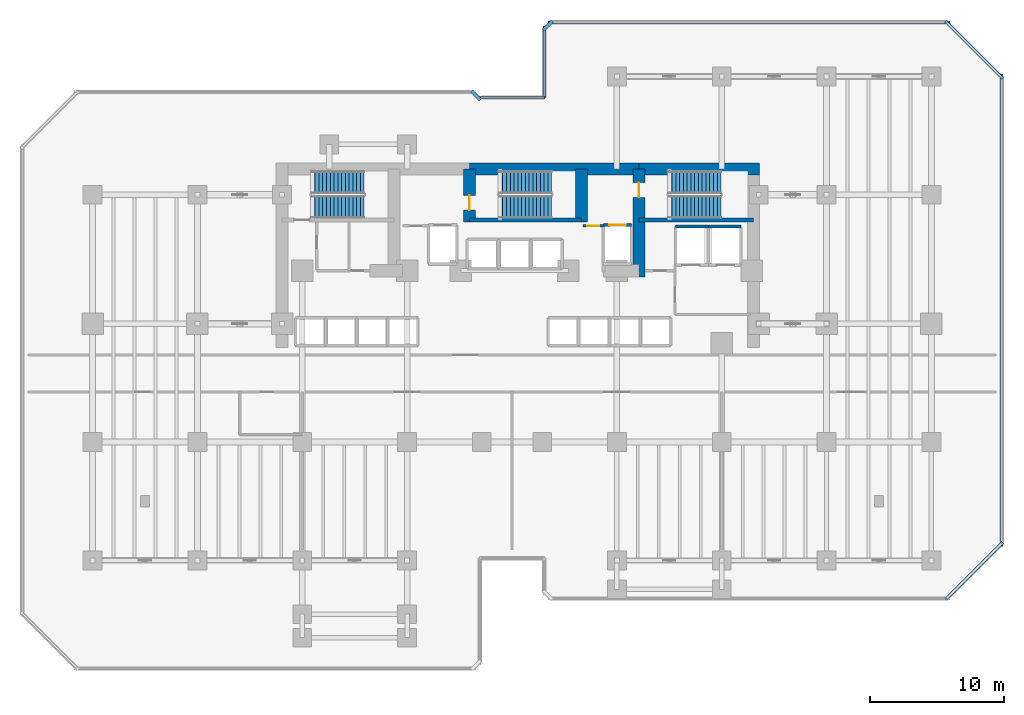
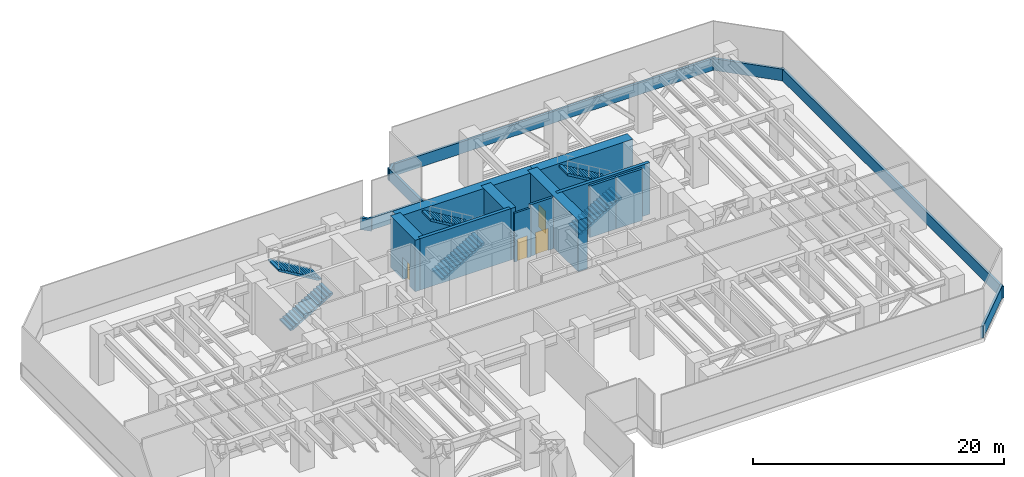
# One storey, part 8 of 13: 19 walls, 6 stair flights, 4 doors, 4 openings, 3 elements without a shape of their own.
"""IFC4 building model written with IfcOpenShell, lengths in metres."""

from ifc_helpers import new_model, si_unit, direction, frame, frame_2d, origin, place, context, subcontext, project, spatial, polyline, rectangle, outline, extrude, material, layer, layer_set, type_object, element, fill, aggregate, save


model = new_model("IFC4")

# Units and contexts
model_context = context("Model", 3, precision=1e-05, world=origin(), true_north=direction((0.0, 1.0)))
body_context = subcontext(model_context, "Body", "Model", "MODEL_VIEW")
ifc_project = project(units=[si_unit("LENGTHUNIT", "METRE"), si_unit("AREAUNIT", "SQUARE_METRE"), si_unit("VOLUMEUNIT", "CUBIC_METRE"), si_unit("PLANEANGLEUNIT", "RADIAN"), si_unit("MASSUNIT", "GRAM", prefix="KILO")], contexts=[model_context])

# Site, building, storey
site_placement = place(None, origin())
site = spatial("IfcSite", under=ifc_project, at=site_placement, CompositionType="ELEMENT")
building_placement = place(site_placement, origin())
building = spatial("IfcBuilding", under=site, at=building_placement, Name="Kestravale Grand Hotel", CompositionType="ELEMENT")
storey_placement = place(building_placement, frame((0.0, 0.0, 75.39990234375)))
storey = spatial("IfcBuildingStorey", under=building, at=storey_placement, Name="L18", CompositionType="ELEMENT", Elevation=75.39990234375)

# Walls
ifc_material_1 = material(Name="Concrete f'c 70 MPa", Category="concrete")
ifc_layer_1 = layer(ifc_material_1, 0.89990234375)
ifc_layer_set_1 = layer_set([ifc_layer_1], Name="EW-CORE-900")
wall_type_1 = type_object("IfcWallType", Name="EW-CORE-900", PredefinedType="SHEAR", material=ifc_layer_set_1)
wall_1_placement = place(storey_placement, frame((35.85009765625, 40.320068359375, 0.0), z_axis=(0.0, 0.0, 1.0), x_axis=(1.0, 0.0, 0.0)))
element("IfcWall", 1, at=wall_1_placement, inside=storey, type_object=wall_type_1, Name="L18 core shear wall N2", PredefinedType="SHEAR", context=body_context, shape_type="SweptSolid", body=[
    extrude(rectangle(XDim=12.599853515625, YDim=0.89990234375, at=frame_2d((6.2998046875, 0.0))), origin(), (0.0, 0.0, 1.0), 5.0),
])
wall_2_placement = place(storey_placement, frame((48.449951171875, 40.320068359375, 0.0), z_axis=(0.0, 0.0, 1.0), x_axis=(1.0, 0.0, 0.0)))
element("IfcWall", 2, at=wall_2_placement, inside=storey, type_object=wall_type_1, Name="L18 core shear wall N3", PredefinedType="SHEAR", context=body_context, shape_type="SweptSolid", body=[
    extrude(rectangle(XDim=8.969970703125, YDim=0.89990234375, at=frame_2d((4.48486328125, 0.0))), origin(), (0.0, 0.0, 1.0), 5.0),
])

# Wall, opening, door
wall_3_placement = place(storey_placement, frame((35.85009765625, 36.3701171875, 0.0), z_axis=(0.0, 0.0, 1.0), x_axis=(0.0, 1.0, 0.0)))
wall_3 = element("IfcWall", 3, at=wall_3_placement, inside=storey, type_object=wall_type_1, Name="L18 core shear wall X2", PredefinedType="SHEAR", context=body_context, shape_type="SweptSolid", body=[
    extrude(rectangle(XDim=3.949951171875, YDim=0.89990234375, at=frame_2d((1.97509765625, 0.0))), origin(), (0.0, 0.0, 1.0), 5.0),
])
opening_1_placement = place(wall_3_placement, frame((0.8798828125, 0.0, 0.0)))
opening_1 = element("IfcOpeningElement", 4, at=opening_1_placement, cuts=wall_3, Name="Opening D-ST-1100", PredefinedType="OPENING", context=body_context, shape_type="SweptSolid", body=[
    extrude(rectangle(XDim=1.10009765625, YDim=2.14990234375, at=frame_2d((0.550048828125, 1.074951171875))), frame((0.0, 0.4599609375, 0.0), z_axis=(0.0, -1.0, 0.0), x_axis=(1.0, 0.0, 0.0)), (0.0, 0.0, 1.0), 0.919921875),
])
ifc_material_2 = material(Name="Galvanised 90-minute fire-rated steel stair door", Category="steel")
door_type_1 = type_object("IfcDoorType", Name="D-ST-1100", OperationType="NOTDEFINED", PredefinedType="DOOR", material=ifc_material_2)
door_1_placement = place(opening_1_placement, origin())
door_1 = element("IfcDoor", 5, at=door_1_placement, inside=storey, type_object=door_type_1, Name="L18 Stair ST-2 FSAE fire door", OperationType="SINGLE_SWING_RIGHT", OverallHeight=2.14990234375, OverallWidth=1.10009765625, PredefinedType="DOOR", context=body_context, shape_type="SweptSolid", body=[
    extrude(rectangle(XDim=1.10009765625, YDim=2.14990234375, at=frame_2d((0.550048828125, 1.074951171875))), frame((0.0, 0.02490234375, 0.0), z_axis=(0.0, -1.0, 0.0), x_axis=(1.0, 0.0, 0.0)), (0.0, 0.0, 1.0), 0.050048828125),
])
fill(opening_1, door_1)

# Wall
wall_4_placement = place(storey_placement, frame((44.179931640625, 36.3701171875, 0.0), z_axis=(0.0, 0.0, 1.0), x_axis=(0.0, 1.0, 0.0)))
element("IfcWall", 6, at=wall_4_placement, inside=storey, type_object=wall_type_1, Name="L18 core shear wall X3", PredefinedType="SHEAR", context=body_context, shape_type="SweptSolid", body=[
    extrude(rectangle(XDim=3.949951171875, YDim=0.89990234375, at=frame_2d((1.97509765625, 0.0))), origin(), (0.0, 0.0, 1.0), 5.0),
])

# Wall, opening, door
wall_5_placement = place(storey_placement, frame((48.449951171875, 32.300048828125, 0.0), z_axis=(0.0, 0.0, 1.0), x_axis=(0.0, 1.0, 0.0)))
wall_5 = element("IfcWall", 7, at=wall_5_placement, inside=storey, type_object=wall_type_1, Name="L18 core shear wall X4", PredefinedType="SHEAR", context=body_context, shape_type="SweptSolid", body=[
    extrude(rectangle(XDim=8.02001953125, YDim=0.89990234375, at=frame_2d((4.010009765625, 0.0))), origin(), (0.0, 0.0, 1.0), 5.0),
])
opening_2_placement = place(wall_5_placement, frame((5.89990234375, 0.0, 0.0)))
opening_2 = element("IfcOpeningElement", 8, at=opening_2_placement, cuts=wall_5, Name="Opening D-ST-1100", PredefinedType="OPENING", context=body_context, shape_type="SweptSolid", body=[
    extrude(rectangle(XDim=1.10009765625, YDim=2.14990234375, at=frame_2d((0.550048828125, 1.074951171875))), frame((0.0, 0.4599609375, 0.0), z_axis=(0.0, -1.0, 0.0), x_axis=(1.0, 0.0, 0.0)), (0.0, 0.0, 1.0), 0.919921875),
])
door_2_placement = place(opening_2_placement, origin())
door_2 = element("IfcDoor", 9, at=door_2_placement, inside=storey, type_object=door_type_1, Name="L18 Stair ST-3 FSAE fire door", OperationType="SINGLE_SWING_RIGHT", OverallHeight=2.14990234375, OverallWidth=1.10009765625, PredefinedType="DOOR", context=body_context, shape_type="SweptSolid", body=[
    extrude(rectangle(XDim=1.10009765625, YDim=2.14990234375, at=frame_2d((0.550048828125, 1.074951171875))), frame((0.0, 0.02490234375, 0.0), z_axis=(0.0, -1.0, 0.0), x_axis=(1.0, 0.0, 0.0)), (0.0, 0.0, 1.0), 0.050048828125),
])
fill(opening_2, door_2)

# Walls
ifc_material_3 = material(Name="Precast concrete f'c 45 MPa", Category="concrete")
ifc_layer_2 = layer(ifc_material_3, 0.219970703125)
ifc_layer_set_2 = layer_set([ifc_layer_2], Name="EW-PAR-220")
wall_type_2 = type_object("IfcWallType", Name="EW-PAR-220", PredefinedType="PARAPET", material=ifc_layer_set_2)
wall_6_placement = place(storey_placement, frame((71.25146484375, 8.2919921875, 0.0), z_axis=(0.0, 0.0, 1.0), x_axis=(0.707106781187, 0.707106781187, 0.0)))
element("IfcWall", 10, at=wall_6_placement, inside=storey, type_object=wall_type_2, Name="L18 refuge band parapet wall 8", PredefinedType="PARAPET", context=body_context, shape_type="SweptSolid", body=[
    extrude(rectangle(XDim=6.019775390625, YDim=0.219970703125, at=frame_2d((3.009765625, 0.0))), origin(), (0.0, 0.0, 1.0), 1.150146484375),
])
wall_7_placement = place(storey_placement, frame((75.429931640625, 12.22998046875, 0.0), z_axis=(0.0, 0.0, 1.0), x_axis=(0.0, 1.0, 0.0)))
element("IfcWall", 11, at=wall_7_placement, inside=storey, type_object=wall_type_2, Name="L18 refuge band parapet wall 9", PredefinedType="PARAPET", context=body_context, shape_type="SweptSolid", body=[
    extrude(rectangle(XDim=35.14013671875, YDim=0.219970703125, at=frame_2d((17.570068359375, 0.0))), origin(), (0.0, 0.0, 1.0), 1.150146484375),
])
wall_8_placement = place(storey_placement, frame((75.508056640625, 47.051513671875, 0.0), z_axis=(0.0, 0.0, 1.0), x_axis=(-0.707106781187, 0.707106781187, 0.0)))
element("IfcWall", 12, at=wall_8_placement, inside=storey, type_object=wall_type_2, Name="L18 refuge band parapet wall 10", PredefinedType="PARAPET", context=body_context, shape_type="SweptSolid", body=[
    extrude(rectangle(XDim=6.019775390625, YDim=0.219970703125, at=frame_2d((3.009765625, 0.0))), origin(), (0.0, 0.0, 1.0), 1.150146484375),
])
wall_9_placement = place(storey_placement, frame((71.570068359375, 51.22998046875, 0.0), z_axis=(0.0, 0.0, 1.0), x_axis=(-1.0, 0.0, 0.0)))
element("IfcWall", 13, at=wall_9_placement, inside=storey, type_object=wall_type_2, Name="L18 refuge band parapet wall 11", PredefinedType="PARAPET", context=body_context, shape_type="SweptSolid", body=[
    extrude(rectangle(XDim=29.89013671875, YDim=0.219970703125, at=frame_2d((14.945068359375, 0.0))), origin(), (0.0, 0.0, 1.0), 1.150146484375),
])
wall_10_placement = place(storey_placement, frame((41.99853515625, 51.30810546875, 0.0), z_axis=(0.0, 0.0, 1.0), x_axis=(-0.707238225886, -0.706975312048, 0.0)))
element("IfcWall", 14, at=wall_10_placement, inside=storey, type_object=wall_type_2, Name="L18 refuge band parapet wall 12", PredefinedType="PARAPET", context=body_context, shape_type="SweptSolid", body=[
    extrude(rectangle(XDim=0.9287109375, YDim=0.219970703125, at=frame_2d((0.46435546875, 0.0))), origin(), (0.0, 0.0, 1.0), 1.150146484375),
])
wall_11_placement = place(storey_placement, frame((41.419921875, 50.969970703125, 0.0), z_axis=(0.0, 0.0, 1.0), x_axis=(0.0, -1.0, 0.0)))
element("IfcWall", 15, at=wall_11_placement, inside=storey, type_object=wall_type_2, Name="L18 refuge band parapet wall 13", PredefinedType="PARAPET", context=body_context, shape_type="SweptSolid", body=[
    extrude(rectangle(XDim=5.340087890625, YDim=0.219970703125, at=frame_2d((2.669921875, 0.0))), origin(), (0.0, 0.0, 1.0), 1.150146484375),
])
wall_12_placement = place(storey_placement, frame((41.419921875, 45.6298828125, 0.0), z_axis=(0.0, 0.0, 1.0), x_axis=(-1.0, 0.0, 0.0)))
element("IfcWall", 16, at=wall_12_placement, inside=storey, type_object=wall_type_2, Name="L18 refuge band parapet wall 14", PredefinedType="PARAPET", context=body_context, shape_type="SweptSolid", body=[
    extrude(rectangle(XDim=4.83984375, YDim=0.219970703125, at=frame_2d((2.419921875, 0.0))), origin(), (0.0, 0.0, 1.0), 1.150146484375),
])
wall_13_placement = place(storey_placement, frame((36.658203125, 45.451416015625, 0.0), z_axis=(0.0, 0.0, 1.0), x_axis=(-0.707106781187, 0.707106781187, 0.0)))
element("IfcWall", 17, at=wall_13_placement, inside=storey, type_object=wall_type_2, Name="L18 refuge band parapet wall 16", PredefinedType="PARAPET", context=body_context, shape_type="SweptSolid", body=[
    extrude(rectangle(XDim=0.9287109375, YDim=0.219970703125, at=frame_2d((0.46435546875, 0.0))), origin(), (0.0, 0.0, 1.0), 1.150146484375),
])
ifc_material_4 = material(Name="Concrete f'c 45 MPa", Category="concrete")
ifc_layer_3 = layer(ifc_material_4, 0.300048828125)
ifc_layer_set_3 = layer_set([ifc_layer_3], Name="EW-STAIR-300")
wall_type_3 = type_object("IfcWallType", Name="EW-STAIR-300", PredefinedType="SHEAR", material=ifc_layer_set_3)
wall_14_placement = place(storey_placement, frame((35.85009765625, 36.52001953125, 0.0), z_axis=(0.0, 0.0, 1.0), x_axis=(1.0, 0.0, 0.0)))
element("IfcWall", 18, at=wall_14_placement, inside=storey, type_object=wall_type_3, Name="L18 stair enclosure shear wall SST2", PredefinedType="SHEAR", context=body_context, shape_type="SweptSolid", body=[
    extrude(rectangle(XDim=8.329833984375, YDim=0.300048828125, at=frame_2d((4.1650390625, 0.0))), origin(), (0.0, 0.0, 1.0), 5.0),
])
wall_15_placement = place(storey_placement, frame((48.449951171875, 36.52001953125, 0.0), z_axis=(0.0, 0.0, 1.0), x_axis=(1.0, 0.0, 0.0)))
element("IfcWall", 19, at=wall_15_placement, inside=storey, type_object=wall_type_3, Name="L18 stair enclosure shear wall SST3", PredefinedType="SHEAR", context=body_context, shape_type="SweptSolid", body=[
    extrude(rectangle(XDim=8.52001953125, YDim=0.300048828125, at=frame_2d((4.260009765625, 0.0))), origin(), (0.0, 0.0, 1.0), 5.0),
])

# Wall, opening, door
ifc_material_5 = material(Name="Fire-rated gypsum board on steel studs with mineral wool", Category="steel")
ifc_layer_4 = layer(ifc_material_5, 0.179931640625)
ifc_layer_set_4 = layer_set([ifc_layer_4], Name="IW-FSAE-180")
wall_type_4 = type_object("IfcWallType", Name="IW-FSAE-180", PredefinedType="PARTITIONING", material=ifc_layer_set_4)
wall_16_placement = place(storey_placement, frame((44.300048828125, 36.080078125, 0.0), z_axis=(0.0, 0.0, 1.0), x_axis=(1.0, 0.0, 0.0)))
wall_16 = element("IfcWall", 20, at=wall_16_placement, inside=storey, type_object=wall_type_4, Name="L18 FSAE Lobby 2 smoke barrier", PredefinedType="PARTITIONING", context=body_context, shape_type="SweptSolid", body=[
    extrude(rectangle(XDim=1.5, YDim=0.179931640625, at=frame_2d((0.75, 0.0))), origin(), (0.0, 0.0, 1.0), 4.739990234375),
])
opening_3_placement = place(wall_16_placement, frame((0.300048828125, 0.0, 0.0)))
opening_3 = element("IfcOpeningElement", 21, at=opening_3_placement, cuts=wall_16, Name="Opening D-FSAE-1000", PredefinedType="OPENING", context=body_context, shape_type="SweptSolid", body=[
    extrude(rectangle(XDim=0.89990234375, YDim=2.14990234375, at=frame_2d((0.449951171875, 1.074951171875))), frame((0.0, 0.099853515625, 0.0), z_axis=(0.0, -1.0, 0.0), x_axis=(1.0, 0.0, 0.0)), (0.0, 0.0, 1.0), 0.199951171875),
])
ifc_material_6 = material(Name="Smoke-gasketed FSAE lobby fire door", Category="steel")
door_type_2 = type_object("IfcDoorType", Name="D-FSAE-1000", OperationType="NOTDEFINED", PredefinedType="DOOR", material=ifc_material_6)
door_3_placement = place(opening_3_placement, origin())
door_3 = element("IfcDoor", 22, at=door_3_placement, inside=storey, type_object=door_type_2, Name="L18 FSAE Lobby 2 fire door", OperationType="SINGLE_SWING_LEFT", OverallHeight=2.14990234375, OverallWidth=0.89990234375, PredefinedType="DOOR", context=body_context, shape_type="SweptSolid", body=[
    extrude(rectangle(XDim=0.89990234375, YDim=2.14990234375, at=frame_2d((0.449951171875, 1.074951171875))), frame((0.0, 0.02490234375, 0.0), z_axis=(0.0, -1.0, 0.0), x_axis=(1.0, 0.0, 0.0)), (0.0, 0.0, 1.0), 0.050048828125),
])
fill(opening_3, door_3)

# Walls
ifc_material_7 = material(Name="Concrete f'c 45 MPa", Category="concrete")
ifc_layer_5 = layer(ifc_material_7, 0.219970703125)
ifc_layer_set_5 = layer_set([ifc_layer_5], Name="IW-SHAFT-220")
wall_type_5 = type_object("IfcWallType", Name="IW-SHAFT-220", PredefinedType="SHEAR", material=ifc_layer_set_5)
wall_17_placement = place(storey_placement, frame((51.179931640625, 36.030029296875, 0.0), z_axis=(0.0, 0.0, 1.0), x_axis=(1.0, 0.0, 0.0)))
element("IfcWall", 23, at=wall_17_placement, inside=storey, type_object=wall_type_5, Name="L18 SL-1 north shaft wall", PredefinedType="SHEAR", context=body_context, shape_type="SweptSolid", body=[
    extrude(rectangle(XDim=2.420166015625, YDim=0.219970703125, at=frame_2d((1.2099609375, 0.0))), origin(), (0.0, 0.0, 1.0), 5.0),
])
wall_18_placement = place(storey_placement, frame((53.60009765625, 36.030029296875, 0.0), z_axis=(0.0, 0.0, 1.0), x_axis=(1.0, 0.0, 0.0)))
element("IfcWall", 24, at=wall_18_placement, inside=storey, type_object=wall_type_5, Name="L18 SL-2 north shaft wall", PredefinedType="SHEAR", context=body_context, shape_type="SweptSolid", body=[
    extrude(rectangle(XDim=2.419921875, YDim=0.219970703125, at=frame_2d((1.2099609375, 0.0))), origin(), (0.0, 0.0, 1.0), 5.0),
])

# Wall, opening, door
wall_19_placement = place(storey_placement, frame((45.804931640625, 36.155029296875, 0.0), z_axis=(0.0, 0.0, 1.0), x_axis=(1.0, 0.0, 0.0)))
wall_19 = element("IfcWall", 25, at=wall_19_placement, inside=storey, type_object=wall_type_5, Name="L18 FL-2 north shaft wall", PredefinedType="SHEAR", context=body_context, shape_type="SweptSolid", body=[
    extrude(rectangle(XDim=2.090087890625, YDim=0.219970703125, at=frame_2d((1.044921875, 0.0))), origin(), (0.0, 0.0, 1.0), 5.0),
])
opening_4_placement = place(wall_19_placement, frame((0.445068359375, 0.0, 0.0)))
opening_4 = element("IfcOpeningElement", 26, at=opening_4_placement, cuts=wall_19, Name="Opening LD-FSAE-1200", PredefinedType="OPENING", context=body_context, shape_type="SweptSolid", body=[
    extrude(rectangle(XDim=1.199951171875, YDim=2.14990234375, at=frame_2d((0.60009765625, 1.074951171875))), frame((0.0, 0.119873046875, 0.0), z_axis=(0.0, -1.0, 0.0), x_axis=(1.0, 0.0, 0.0)), (0.0, 0.0, 1.0), 0.239990234375),
])
ifc_material_8 = material(Name="Stainless fire-service sliding elevator landing door", Category="steel")
door_type_3 = type_object("IfcDoorType", Name="LD-FSAE-1200", OperationType="NOTDEFINED", PredefinedType="DOOR", material=ifc_material_8)
door_4_placement = place(opening_4_placement, origin())
door_4 = element("IfcDoor", 27, at=door_4_placement, inside=storey, type_object=door_type_3, Name="L18 FL-2 elevator landing sliding door", OperationType="DOUBLE_DOOR_SLIDING", OverallHeight=2.14990234375, OverallWidth=1.199951171875, PredefinedType="DOOR", context=body_context, shape_type="SweptSolid", body=[
    extrude(rectangle(XDim=1.199951171875, YDim=2.14990234375, at=frame_2d((0.60009765625, 1.074951171875))), frame((0.0, 0.02490234375, 0.0), z_axis=(0.0, -1.0, 0.0), x_axis=(1.0, 0.0, 0.0)), (0.0, 0.0, 1.0), 0.050048828125),
])
fill(opening_4, door_4)

# Stair, stair flights
ifc_material_9 = material(Name="Concrete f'c 45 MPa", Category="concrete")
stair_type = type_object("IfcStairType", Name="ST-CORE-500", PredefinedType="HALF_TURN_STAIR", material=ifc_material_9)
stair_1_placement = place(storey_placement, origin())
stair_1 = element("IfcStair", 28, at=stair_1_placement, inside=storey, type_object=stair_type, Name="L18 ST-1", PredefinedType="HALF_TURN_STAIR")
ifc_material_10 = material(Name="Concrete f'c 45 MPa", Category="concrete")
stair_flight_type = type_object("IfcStairFlightType", Name="STF-CORE-500", PredefinedType="STRAIGHT", material=ifc_material_10)
stair_flight_1_placement = place(storey_placement, frame((24.080078125, 37.489990234375, 0.0), z_axis=(0.0, 0.0, 1.0), x_axis=(1.0, 0.0, 0.0)))
stair_flight_1 = element("IfcStairFlight", 29, at=stair_flight_1_placement, type_object=stair_flight_type, Name="ST-1 flight 1", NumberOfRisers=15, NumberOfTreads=14, PredefinedType="STRAIGHT", RiserHeight=0.166666667, TreadLength=0.28, context=body_context, shape_type="SweptSolid", body=[
    extrude(outline(polyline([(0.0, 0.0), (0.0, 0.166748046875), (0.280029296875, 0.166748046875), (0.280029296875, 0.333251953125), (0.56005859375, 0.333251953125), (0.56005859375, 0.5), (0.840087890625, 0.5), (0.840087890625, 0.666748046875), (1.1201171875, 0.666748046875), (1.1201171875, 0.833251953125), (1.39990234375, 0.833251953125), (1.39990234375, 1.0), (1.679931640625, 1.0), (1.679931640625, 1.166748046875), (1.9599609375, 1.166748046875), (1.9599609375, 1.333251953125), (2.239990234375, 1.333251953125), (2.239990234375, 1.5), (2.52001953125, 1.5), (2.52001953125, 1.666748046875), (2.800048828125, 1.666748046875), (2.800048828125, 1.833251953125), (3.080078125, 1.833251953125), (3.080078125, 2.0), (3.360107421875, 2.0), (3.360107421875, 2.166748046875), (3.639892578125, 2.166748046875), (3.639892578125, 2.333251953125), (3.919921875, 2.333251953125), (3.919921875, 2.5), (3.919921875, 2.158935546875), (0.29296875, 0.0), (0.0, 0.0)])), frame((0.0, 0.83984375, 0.0), z_axis=(0.0, -1.0, 0.0), x_axis=(1.0, 0.0, 0.0)), (0.0, 0.0, 1.0), 1.679931640625),
])
stair_flight_2_placement = place(storey_placement, frame((28.0, 39.320068359375, 2.5), z_axis=(0.0, 0.0, 1.0), x_axis=(-1.0, 0.0, 0.0)))
stair_flight_2 = element("IfcStairFlight", 30, at=stair_flight_2_placement, type_object=stair_flight_type, Name="ST-1 flight 2", NumberOfRisers=15, NumberOfTreads=14, PredefinedType="STRAIGHT", RiserHeight=0.166666667, TreadLength=0.28, context=body_context, shape_type="SweptSolid", body=[
    extrude(outline(polyline([(0.0, 0.0), (0.0, 0.166748046875), (0.280029296875, 0.166748046875), (0.280029296875, 0.333251953125), (0.56005859375, 0.333251953125), (0.56005859375, 0.5), (0.840087890625, 0.5), (0.840087890625, 0.666748046875), (1.1201171875, 0.666748046875), (1.1201171875, 0.833251953125), (1.39990234375, 0.833251953125), (1.39990234375, 1.0), (1.679931640625, 1.0), (1.679931640625, 1.166748046875), (1.9599609375, 1.166748046875), (1.9599609375, 1.333251953125), (2.239990234375, 1.333251953125), (2.239990234375, 1.5), (2.52001953125, 1.5), (2.52001953125, 1.666748046875), (2.800048828125, 1.666748046875), (2.800048828125, 1.833251953125), (3.080078125, 1.833251953125), (3.080078125, 2.0), (3.360107421875, 2.0), (3.360107421875, 2.166748046875), (3.639892578125, 2.166748046875), (3.639892578125, 2.333251953125), (3.919921875, 2.333251953125), (3.919921875, 2.5), (3.919921875, 2.158935546875), (0.29296875, 0.0), (0.0, 0.0)])), frame((0.0, 0.83984375, 0.0), z_axis=(0.0, -1.0, 0.0), x_axis=(1.0, 0.0, 0.0)), (0.0, 0.0, 1.0), 1.679931640625),
])
aggregate(stair_1, [stair_flight_1, stair_flight_2])

stair_2_placement = place(storey_placement, origin())
stair_2 = element("IfcStair", 31, at=stair_2_placement, inside=storey, type_object=stair_type, Name="L18 ST-2", PredefinedType="HALF_TURN_STAIR")
stair_flight_3_placement = place(storey_placement, frame((38.030029296875, 37.489990234375, 0.0), z_axis=(0.0, 0.0, 1.0), x_axis=(1.0, 0.0, 0.0)))
stair_flight_3 = element("IfcStairFlight", 32, at=stair_flight_3_placement, type_object=stair_flight_type, Name="ST-2 flight 1", NumberOfRisers=15, NumberOfTreads=14, PredefinedType="STRAIGHT", RiserHeight=0.166666667, TreadLength=0.28, context=body_context, shape_type="SweptSolid", body=[
    extrude(outline(polyline([(0.0, 0.0), (0.0, 0.166748046875), (0.280029296875, 0.166748046875), (0.280029296875, 0.333251953125), (0.56005859375, 0.333251953125), (0.56005859375, 0.5), (0.840087890625, 0.5), (0.840087890625, 0.666748046875), (1.1201171875, 0.666748046875), (1.1201171875, 0.833251953125), (1.39990234375, 0.833251953125), (1.39990234375, 1.0), (1.679931640625, 1.0), (1.679931640625, 1.166748046875), (1.9599609375, 1.166748046875), (1.9599609375, 1.333251953125), (2.239990234375, 1.333251953125), (2.239990234375, 1.5), (2.52001953125, 1.5), (2.52001953125, 1.666748046875), (2.800048828125, 1.666748046875), (2.800048828125, 1.833251953125), (3.080078125, 1.833251953125), (3.080078125, 2.0), (3.360107421875, 2.0), (3.360107421875, 2.166748046875), (3.639892578125, 2.166748046875), (3.639892578125, 2.333251953125), (3.919921875, 2.333251953125), (3.919921875, 2.5), (3.919921875, 2.158935546875), (0.29296875, 0.0), (0.0, 0.0)])), frame((0.0, 0.83984375, 0.0), z_axis=(0.0, -1.0, 0.0), x_axis=(1.0, 0.0, 0.0)), (0.0, 0.0, 1.0), 1.679931640625),
])
stair_flight_4_placement = place(storey_placement, frame((41.949951171875, 39.320068359375, 2.5), z_axis=(0.0, 0.0, 1.0), x_axis=(-1.0, 0.0, 0.0)))
stair_flight_4 = element("IfcStairFlight", 33, at=stair_flight_4_placement, type_object=stair_flight_type, Name="ST-2 flight 2", NumberOfRisers=15, NumberOfTreads=14, PredefinedType="STRAIGHT", RiserHeight=0.166666667, TreadLength=0.28, context=body_context, shape_type="SweptSolid", body=[
    extrude(outline(polyline([(0.0, 0.0), (0.0, 0.166748046875), (0.280029296875, 0.166748046875), (0.280029296875, 0.333251953125), (0.56005859375, 0.333251953125), (0.56005859375, 0.5), (0.840087890625, 0.5), (0.840087890625, 0.666748046875), (1.1201171875, 0.666748046875), (1.1201171875, 0.833251953125), (1.39990234375, 0.833251953125), (1.39990234375, 1.0), (1.679931640625, 1.0), (1.679931640625, 1.166748046875), (1.9599609375, 1.166748046875), (1.9599609375, 1.333251953125), (2.239990234375, 1.333251953125), (2.239990234375, 1.5), (2.52001953125, 1.5), (2.52001953125, 1.666748046875), (2.800048828125, 1.666748046875), (2.800048828125, 1.833251953125), (3.080078125, 1.833251953125), (3.080078125, 2.0), (3.360107421875, 2.0), (3.360107421875, 2.166748046875), (3.639892578125, 2.166748046875), (3.639892578125, 2.333251953125), (3.919921875, 2.333251953125), (3.919921875, 2.5), (3.919921875, 2.158935546875), (0.29296875, 0.0), (0.0, 0.0)])), frame((0.0, 0.83984375, 0.0), z_axis=(0.0, -1.0, 0.0), x_axis=(1.0, 0.0, 0.0)), (0.0, 0.0, 1.0), 1.679931640625),
])
aggregate(stair_2, [stair_flight_3, stair_flight_4])

stair_3_placement = place(storey_placement, origin())
stair_3 = element("IfcStair", 34, at=stair_3_placement, inside=storey, type_object=stair_type, Name="L18 ST-3", PredefinedType="HALF_TURN_STAIR")
stair_flight_5_placement = place(storey_placement, frame((50.6298828125, 37.489990234375, 0.0), z_axis=(0.0, 0.0, 1.0), x_axis=(1.0, 0.0, 0.0)))
stair_flight_5 = element("IfcStairFlight", 35, at=stair_flight_5_placement, type_object=stair_flight_type, Name="ST-3 flight 1", NumberOfRisers=15, NumberOfTreads=14, PredefinedType="STRAIGHT", RiserHeight=0.166666667, TreadLength=0.28, context=body_context, shape_type="SweptSolid", body=[
    extrude(outline(polyline([(0.0, 0.0), (0.0, 0.166748046875), (0.280029296875, 0.166748046875), (0.280029296875, 0.333251953125), (0.56005859375, 0.333251953125), (0.56005859375, 0.5), (0.840087890625, 0.5), (0.840087890625, 0.666748046875), (1.1201171875, 0.666748046875), (1.1201171875, 0.833251953125), (1.39990234375, 0.833251953125), (1.39990234375, 1.0), (1.679931640625, 1.0), (1.679931640625, 1.166748046875), (1.9599609375, 1.166748046875), (1.9599609375, 1.333251953125), (2.239990234375, 1.333251953125), (2.239990234375, 1.5), (2.52001953125, 1.5), (2.52001953125, 1.666748046875), (2.800048828125, 1.666748046875), (2.800048828125, 1.833251953125), (3.080078125, 1.833251953125), (3.080078125, 2.0), (3.360107421875, 2.0), (3.360107421875, 2.166748046875), (3.639892578125, 2.166748046875), (3.639892578125, 2.333251953125), (3.919921875, 2.333251953125), (3.919921875, 2.5), (3.919921875, 2.158935546875), (0.29296875, 0.0), (0.0, 0.0)])), frame((0.0, 0.83984375, 0.0), z_axis=(0.0, -1.0, 0.0), x_axis=(1.0, 0.0, 0.0)), (0.0, 0.0, 1.0), 1.679931640625),
])
stair_flight_6_placement = place(storey_placement, frame((54.550048828125, 39.320068359375, 2.5), z_axis=(0.0, 0.0, 1.0), x_axis=(-1.0, 0.0, 0.0)))
stair_flight_6 = element("IfcStairFlight", 36, at=stair_flight_6_placement, type_object=stair_flight_type, Name="ST-3 flight 2", NumberOfRisers=15, NumberOfTreads=14, PredefinedType="STRAIGHT", RiserHeight=0.166666667, TreadLength=0.28, context=body_context, shape_type="SweptSolid", body=[
    extrude(outline(polyline([(0.0, 0.0), (0.0, 0.166748046875), (0.280029296875, 0.166748046875), (0.280029296875, 0.333251953125), (0.56005859375, 0.333251953125), (0.56005859375, 0.5), (0.840087890625, 0.5), (0.840087890625, 0.666748046875), (1.1201171875, 0.666748046875), (1.1201171875, 0.833251953125), (1.39990234375, 0.833251953125), (1.39990234375, 1.0), (1.679931640625, 1.0), (1.679931640625, 1.166748046875), (1.9599609375, 1.166748046875), (1.9599609375, 1.333251953125), (2.239990234375, 1.333251953125), (2.239990234375, 1.5), (2.52001953125, 1.5), (2.52001953125, 1.666748046875), (2.800048828125, 1.666748046875), (2.800048828125, 1.833251953125), (3.080078125, 1.833251953125), (3.080078125, 2.0), (3.360107421875, 2.0), (3.360107421875, 2.166748046875), (3.639892578125, 2.166748046875), (3.639892578125, 2.333251953125), (3.919921875, 2.333251953125), (3.919921875, 2.5), (3.919921875, 2.158935546875), (0.29296875, 0.0), (0.0, 0.0)])), frame((0.0, 0.83984375, 0.0), z_axis=(0.0, -1.0, 0.0), x_axis=(1.0, 0.0, 0.0)), (0.0, 0.0, 1.0), 1.679931640625),
])
aggregate(stair_3, [stair_flight_5, stair_flight_6])

save(model, "model.ifc")
